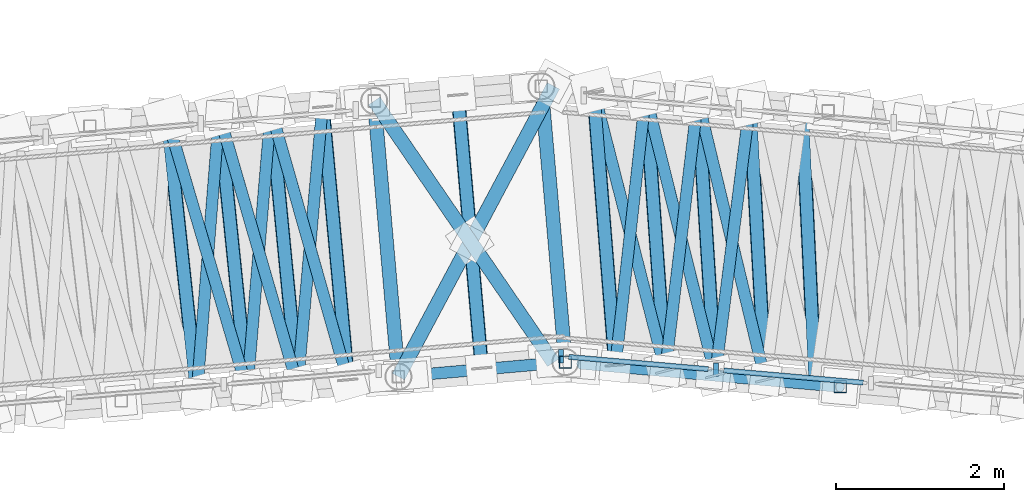
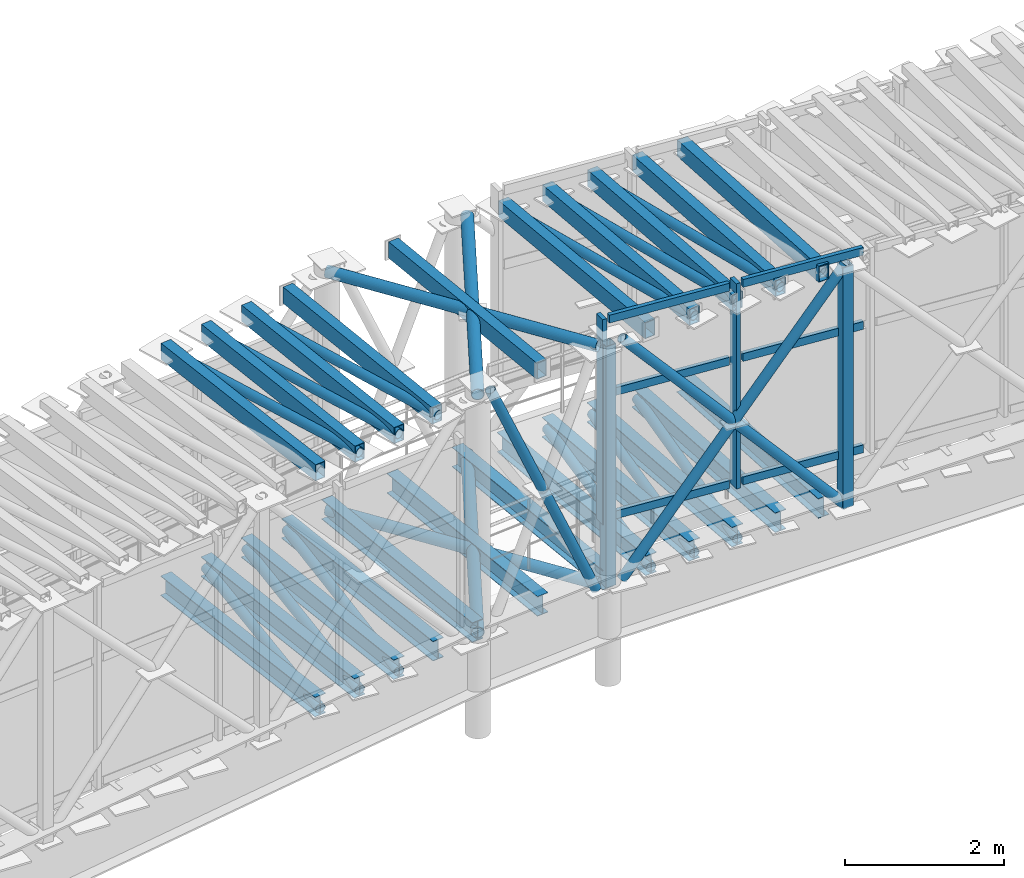
# One storey, part 54 of 144: 43 members, 12 beams, 1 element without a shape of its own.
"""IFC4 building model written with IfcOpenShell, lengths in metres."""

from ifc_helpers import new_model, si_unit, direction, frame, origin, origin_2d, place, context, subcontext, project, spatial, rectangle, hollow_rectangle, hollow_circle, i_section, extrude, material, material_profile, profile_set, type_object, element, aggregate, save


model = new_model("IFC4")

# Units and contexts
model_context = context("Model", 3, precision=1e-05, world=origin(), true_north=direction((0.0, 1.0)))
body_context = subcontext(model_context, "Body", "Model", "MODEL_VIEW")
ifc_project = project(units=[si_unit("LENGTHUNIT", "METRE"), si_unit("AREAUNIT", "SQUARE_METRE"), si_unit("VOLUMEUNIT", "CUBIC_METRE"), si_unit("PLANEANGLEUNIT", "RADIAN"), si_unit("MASSUNIT", "GRAM", prefix="KILO")], contexts=[model_context])

# Site, building, storey
site_placement = place(None, origin())
site = spatial("IfcSite", under=ifc_project, at=site_placement, CompositionType="ELEMENT")
building_placement = place(site_placement, origin())
building = spatial("IfcBuilding", under=site, at=building_placement, Name="Cinderbank Siding Concert Hall", CompositionType="ELEMENT")
storey_placement = place(building_placement, frame((0.0, 0.0, 5.39990234375)))
storey = spatial("IfcBuildingStorey", under=building, at=storey_placement, Name="L02", CompositionType="ELEMENT", Elevation=5.39990234375)

# Members
ifc_material_1 = material(Name="Structural steel hollow section AS/NZS 1163 Grade C350L0 (350 MPa)", Category="steel")
ifc_material_profile_1 = material_profile(ifc_material_1, hollow_circle(Radius=0.06982421875, WallThickness=0.00634765625, at=origin_2d()), Name="139.7x6.4CHS", Category="LoadBearing")
ifc_profile_set_1 = profile_set([ifc_material_profile_1], Name="Structural steel hollow section AS/NZS 1163 Grade C350L0 (350 MPa)")
member_type_1 = type_object("IfcMemberType", Name="BR-CHS139 139.7x6.4CHS Roof Truss", PredefinedType="BRACE", material=ifc_profile_set_1)
member_1_placement = place(storey_placement, frame((75.085693359375, 98.765380859375, 1.32568359375), z_axis=(0.079665929004, 0.996736875252, 0.012997740937), x_axis=(-0.996821080918, 0.079672659288, 0.0)))
element("IfcMember", 1, at=member_1_placement, inside=storey, type_object=member_type_1, Name="L02 Diagonal Brace BR-CHS139 #BRST-BR-CHS139-L02-0216", PredefinedType="BRACE", context=body_context, shape_type="SweptSolid", body=[
    extrude(hollow_circle(Radius=0.06982421875, WallThickness=0.00634765625, at=origin_2d()), origin(), (0.0, 0.0, 1.0), 3.343505859375),
])
member_2_placement = place(storey_placement, frame((74.735595703125, 102.043701171875, 4.965576171875), z_axis=(0.28269258061, -0.959122580939, 0.012991520393), x_axis=(0.95920353135, 0.28271644, 0.0)))
element("IfcMember", 2, at=member_2_placement, inside=storey, type_object=member_type_1, Name="L02 Diagonal Brace BR-CHS139 #BRXR-BR-CHS139-L02-0217", PredefinedType="BRACE", context=body_context, shape_type="SweptSolid", body=[
    extrude(hollow_circle(Radius=0.06982421875, WallThickness=0.00634765625, at=origin_2d()), origin(), (0.0, 0.0, 1.0), 3.36376953125),
])
member_3_placement = place(storey_placement, frame((75.6865234375, 98.8173828125, 1.369140625), z_axis=(0.084245622048, 0.996359478078, 0.013056247919), x_axis=(-0.99644441145, 0.084252803457, 0.0)))
element("IfcMember", 3, at=member_3_placement, inside=storey, type_object=member_type_1, Name="L02 Diagonal Brace BR-CHS139 #BRST-BR-CHS139-L02-0219", PredefinedType="BRACE", context=body_context, shape_type="SweptSolid", body=[
    extrude(hollow_circle(Radius=0.06982421875, WallThickness=0.00634765625, at=origin_2d()), origin(), (0.0, 0.0, 1.0), 3.34716796875),
])
member_4_placement = place(storey_placement, frame((75.35205078125, 102.097900390625, 5.00927734375), z_axis=(0.278255279965, -0.960420142778, 0.012928593013), x_axis=(0.960500419243, 0.27827853786, 0.0)))
element("IfcMember", 4, at=member_4_placement, inside=storey, type_object=member_type_1, Name="L02 Diagonal Brace BR-CHS139 #BRXR-BR-CHS139-L02-0220", PredefinedType="BRACE", context=body_context, shape_type="SweptSolid", body=[
    extrude(hollow_circle(Radius=0.06982421875, WallThickness=0.00634765625, at=origin_2d()), origin(), (0.0, 0.0, 1.0), 3.361328125),
])
member_5_placement = place(storey_placement, frame((76.287353515625, 98.86962890625, 1.412841796875), z_axis=(0.08874752713, 0.995968758905, 0.013042534775), x_axis=(-0.996053480698, 0.088755076413, 0.0)))
element("IfcMember", 5, at=member_5_placement, inside=storey, type_object=member_type_1, Name="L02 Diagonal Brace BR-CHS139 #BRST-BR-CHS139-L02-0222", PredefinedType="BRACE", context=body_context, shape_type="SweptSolid", body=[
    extrude(hollow_circle(Radius=0.06982421875, WallThickness=0.00634765625, at=origin_2d()), origin(), (0.0, 0.0, 1.0), 3.3505859375),
])
member_6_placement = place(storey_placement, frame((75.968505859375, 102.15234375, 5.052734375), z_axis=(0.273785825454, -0.961702692436, 0.013009732614), x_axis=(0.96178408837, 0.273808997951, 0.0)))
element("IfcMember", 6, at=member_6_placement, inside=storey, type_object=member_type_1, Name="L02 Diagonal Brace BR-CHS139 #BRXR-BR-CHS139-L02-0223", PredefinedType="BRACE", context=body_context, shape_type="SweptSolid", body=[
    extrude(hollow_circle(Radius=0.06982421875, WallThickness=0.00634765625, at=origin_2d()), origin(), (0.0, 0.0, 1.0), 3.359130859375),
])
member_7_placement = place(storey_placement, frame((77.67822265625, 98.990478515625, 5.170166015625), z_axis=(0.39946196496, 0.034952921934, -0.916083201351), x_axis=(-0.087166950281, 0.996193717496, 0.0)))
element("IfcMember", 7, at=member_7_placement, inside=storey, type_object=member_type_1, Name="L02 Diagonal Brace BR-CHS139 #BRDR-BR-CHS139-L02-0233", PredefinedType="BRACE", context=body_context, shape_type="SweptSolid", body=[
    extrude(hollow_circle(Radius=0.06982421875, WallThickness=0.00634765625, at=origin_2d()), origin(), (0.0, 0.0, 1.0), 2.004638671875),
])
member_8_placement = place(storey_placement, frame((78.490966796875, 99.0615234375, 3.306396484375), z_axis=(0.399506536307, 0.034956821927, -0.916063615721), x_axis=(-0.087166950281, 0.996193717496, 0.0)))
element("IfcMember", 8, at=member_8_placement, inside=storey, type_object=member_type_1, Name="L02 Diagonal Brace BR-CHS139 #BRDR-BR-CHS139-L02-0233-S22", PredefinedType="BRACE", context=body_context, shape_type="SweptSolid", body=[
    extrude(hollow_circle(Radius=0.06982421875, WallThickness=0.00634765625, at=origin_2d()), origin(), (0.0, 0.0, 1.0), 2.00439453125),
])
member_9_placement = place(storey_placement, frame((79.670166015625, 99.131103515625, 1.48388671875), z_axis=(0.617066436247, -0.055156231052, 0.7849756706), x_axis=(0.089029642765, 0.996028976842, 0.0)))
element("IfcMember", 9, at=member_9_placement, inside=storey, type_object=member_type_1, Name="L02 Diagonal Brace BR-CHS139 #BRDR-BR-CHS139-L02-0252", PredefinedType="BRACE", context=body_context, shape_type="SweptSolid", body=[
    extrude(hollow_circle(Radius=0.06982421875, WallThickness=0.00634765625, at=origin_2d()), origin(), (0.0, 0.0, 1.0), 5.001708984375),
])
for number, where, z_axis, x_axis, name in (
    (10, (79.670166015625, 99.131103515625, 5.18408203125), (0.662987920877, -0.059225513314, -0.746283696287), (0.088976894944, 0.996033690277, 0.0), "L02 Diagonal Brace BR-CHS139 #BRDR-BR-CHS139-L02-0253"),
    (11, (81.223388671875, 98.9921875, 3.435791015625), (0.663040157627, -0.059230179686, -0.746236916259), (0.088976894944, 0.996033690277, 0.0), "L02 Diagonal Brace BR-CHS139 #BRDR-BR-CHS139-L02-0253-S29"),
):
    element("IfcMember", number, at=place(storey_placement, frame(where, z_axis=z_axis, x_axis=x_axis)), inside=storey, type_object=member_type_1, Name=name, PredefinedType="BRACE", context=body_context, shape_type="SweptSolid", body=[
        extrude(hollow_circle(Radius=0.06982421875, WallThickness=0.00634765625, at=origin_2d()), origin(), (0.0, 0.0, 1.0), 2.3125),
    ])
member_10_placement = place(storey_placement, frame((80.076416015625, 99.0947265625, 1.543701171875), z_axis=(0.110849611161, 0.99374651413, 0.013424952908), x_axis=(-0.993836077386, 0.110859601689, 0.0)))
element("IfcMember", 12, at=member_10_placement, inside=storey, type_object=member_type_1, Name="L02 Diagonal Brace BR-CHS139 #BRST-BR-CHS139-L02-0265", PredefinedType="BRACE", context=body_context, shape_type="SweptSolid", body=[
    extrude(hollow_circle(Radius=0.06982421875, WallThickness=0.00634765625, at=origin_2d()), origin(), (0.0, 0.0, 1.0), 3.255126953125),
])
member_11_placement = place(storey_placement, frame((79.815673828125, 102.3828125, 5.18359375), z_axis=(0.24827368535, -0.968607086002, 0.012668469121), x_axis=(0.968684821288, 0.248293610483, 0.0)))
element("IfcMember", 13, at=member_11_placement, inside=storey, type_object=member_type_1, Name="L02 Diagonal Brace BR-CHS139 #BRXR-BR-CHS139-L02-0266", PredefinedType="BRACE", context=body_context, shape_type="SweptSolid", body=[
    extrude(hollow_circle(Radius=0.06982421875, WallThickness=0.00634765625, at=origin_2d()), origin(), (0.0, 0.0, 1.0), 3.44970703125),
])
member_12_placement = place(storey_placement, frame((80.672119140625, 99.04150390625, 1.58740234375), z_axis=(0.118700115743, 0.992839541335, 0.013413712574), x_axis=(-0.99292887305, 0.118710795902, 0.0)))
element("IfcMember", 14, at=member_12_placement, inside=storey, type_object=member_type_1, Name="L02 Diagonal Brace BR-CHS139 #BRST-BR-CHS139-L02-0268", PredefinedType="BRACE", context=body_context, shape_type="SweptSolid", body=[
    extrude(hollow_circle(Radius=0.06982421875, WallThickness=0.00634765625, at=origin_2d()), origin(), (0.0, 0.0, 1.0), 3.258056640625),
])
member_13_placement = place(storey_placement, frame((80.437255859375, 102.32958984375, 5.227294921875), z_axis=(0.241147799652, -0.970405406068, 0.012691989455), x_axis=(0.970483575164, 0.241167224838, 0.0)))
element("IfcMember", 15, at=member_13_placement, inside=storey, type_object=member_type_1, Name="L02 Diagonal Brace BR-CHS139 #BRXR-BR-CHS139-L02-0269", PredefinedType="BRACE", context=body_context, shape_type="SweptSolid", body=[
    extrude(hollow_circle(Radius=0.06982421875, WallThickness=0.00634765625, at=origin_2d()), origin(), (0.0, 0.0, 1.0), 3.443115234375),
])
member_14_placement = place(storey_placement, frame((81.267578125, 98.98828125, 1.631103515625), z_axis=(0.126593998925, 0.991865104528, 0.013325684097), x_axis=(-0.991953180914, 0.126605240314, 0.0)))
element("IfcMember", 16, at=member_14_placement, inside=storey, type_object=member_type_1, Name="L02 Diagonal Brace BR-CHS139 #BRST-BR-CHS139-L02-0271", PredefinedType="BRACE", context=body_context, shape_type="SweptSolid", body=[
    extrude(hollow_circle(Radius=0.06982421875, WallThickness=0.00634765625, at=origin_2d()), origin(), (0.0, 0.0, 1.0), 3.26123046875),
])
member_15_placement = place(storey_placement, frame((81.058837890625, 102.276123046875, 5.27099609375), z_axis=(0.234066001861, -0.972137552493, 0.012715573394), x_axis=(0.972216152446, 0.234084926731, 0.0)))
element("IfcMember", 17, at=member_15_placement, inside=storey, type_object=member_type_1, Name="L02 Diagonal Brace BR-CHS139 #BRXR-BR-CHS139-L02-0272", PredefinedType="BRACE", context=body_context, shape_type="SweptSolid", body=[
    extrude(hollow_circle(Radius=0.06982421875, WallThickness=0.00634765625, at=origin_2d()), origin(), (0.0, 0.0, 1.0), 3.436767578125),
])
ifc_material_profile_2 = material_profile(ifc_material_1, hollow_circle(Radius=0.084228515625, WallThickness=0.007080078125, at=origin_2d()), Name="168.3x7.1CHS", Category="LoadBearing")
ifc_profile_set_2 = profile_set([ifc_material_profile_2], Name="Structural steel hollow section AS/NZS 1163 Grade C350L0 (350 MPa)")
member_type_2 = type_object("IfcMemberType", Name="BR-CHS168 168.3x7.1CHS Roof Truss", PredefinedType="BRACE", material=ifc_profile_set_2)
member_16_placement = place(storey_placement, frame((77.489013671875, 98.973876953125, 1.52001953125), z_axis=(0.470394761597, 0.882456099906, 0.0), x_axis=(-0.882456099906, 0.470394761597, 0.0)))
element("IfcMember", 18, at=member_16_placement, inside=storey, type_object=member_type_2, Name="L02 Diagonal Brace BR-CHS168 #BRWB-BR-CHS168-L02-0235", PredefinedType="BRACE", context=body_context, shape_type="SweptSolid", body=[
    extrude(hollow_circle(Radius=0.084228515625, WallThickness=0.007080078125, at=origin_2d()), origin(), (0.0, 0.0, 1.0), 3.929931640625),
])
member_17_placement = place(storey_placement, frame((77.201416015625, 102.26123046875, 1.52001953125), z_axis=(0.565000897235, -0.82509028968, 0.0), x_axis=(0.82509028968, 0.565000897235, 0.0)))
element("IfcMember", 19, at=member_17_placement, inside=storey, type_object=member_type_2, Name="L02 Diagonal Brace BR-CHS168 #BRWB-BR-CHS168-L02-0236", PredefinedType="BRACE", context=body_context, shape_type="SweptSolid", body=[
    extrude(hollow_circle(Radius=0.084228515625, WallThickness=0.007080078125, at=origin_2d()), origin(), (0.0, 0.0, 1.0), 2.015380859375),
])
member_18_placement = place(storey_placement, frame((78.357177734375, 100.57373046875, 1.52001953125), z_axis=(0.564981435922, -0.825103615956, 0.0), x_axis=(0.825103615956, 0.564981435922, 0.0)))
element("IfcMember", 20, at=member_18_placement, inside=storey, type_object=member_type_2, Name="L02 Diagonal Brace BR-CHS168 #BRWB-BR-CHS168-L02-0236-S23", PredefinedType="BRACE", context=body_context, shape_type="SweptSolid", body=[
    extrude(hollow_circle(Radius=0.084228515625, WallThickness=0.007080078125, at=origin_2d()), origin(), (0.0, 0.0, 1.0), 1.7353515625),
])
member_19_placement = place(storey_placement, frame((77.201416015625, 102.26123046875, 5.170166015625), z_axis=(0.565028792747, -0.825071186848, 0.0), x_axis=(0.825071186848, 0.565028792747, 0.0)))
element("IfcMember", 21, at=member_19_placement, inside=storey, type_object=member_type_2, Name="L02 Diagonal Brace BR-CHS168 #BRWB-BR-CHS168-L02-0237", PredefinedType="BRACE", context=body_context, shape_type="SweptSolid", body=[
    extrude(hollow_circle(Radius=0.084228515625, WallThickness=0.007080078125, at=origin_2d()), origin(), (0.0, 0.0, 1.0), 3.78076171875),
])
member_20_placement = place(storey_placement, frame((77.489013671875, 98.973876953125, 5.170166015625), z_axis=(0.470448379807, 0.882427516534, 0.0), x_axis=(-0.882427516534, 0.470448379807, 0.0)))
element("IfcMember", 22, at=member_20_placement, inside=storey, type_object=member_type_2, Name="L02 Diagonal Brace BR-CHS168 #BRWB-BR-CHS168-L02-0238", PredefinedType="BRACE", context=body_context, shape_type="SweptSolid", body=[
    extrude(hollow_circle(Radius=0.084228515625, WallThickness=0.007080078125, at=origin_2d()), origin(), (0.0, 0.0, 1.0), 1.812255859375),
])
member_21_placement = place(storey_placement, frame((78.355712890625, 100.599365234375, 5.170166015625), z_axis=(0.470309026471, 0.882501795817, 0.0), x_axis=(-0.882501795817, 0.470309026471, 0.0)))
element("IfcMember", 23, at=member_21_placement, inside=storey, type_object=member_type_2, Name="L02 Diagonal Brace BR-CHS168 #BRWB-BR-CHS168-L02-0238-S24", PredefinedType="BRACE", context=body_context, shape_type="SweptSolid", body=[
    extrude(hollow_circle(Radius=0.084228515625, WallThickness=0.007080078125, at=origin_2d()), origin(), (0.0, 0.0, 1.0), 2.087890625),
])
ifc_material_profile_3 = material_profile(ifc_material_1, hollow_rectangle(XDim=0.14990234375, YDim=0.14990234375, WallThickness=0.008056640625, at=origin_2d()), Name="150x150x8.0SHS", Category="LoadBearing")
ifc_profile_set_3 = profile_set([ifc_material_profile_3], Name="Structural steel hollow section AS/NZS 1163 Grade C350L0 (350 MPa)")
member_type_3 = type_object("IfcMemberType", Name="BR-SHS150 150x150x8.0SHS Roof Truss", PredefinedType="BRACE", material=ifc_profile_set_3)
for number, where, z_axis, x_axis, name in (
    (24, (79.48095703125, 99.14794921875, 1.47021484375), (0.0, 0.0, 1.0), (1.0, 0.0, 0.0), "L02 Diagonal Brace BR-SHS150 #BRVR-BR-SHS150-L02-0251"),
    (25, (82.756591796875, 98.855224609375, 1.710205078125), (0.0, 0.0, 1.0), (1.0, 0.0, 0.0), "L02 Diagonal Brace BR-SHS150 #BRVR-BR-SHS150-L02-0254"),
):
    element("IfcMember", number, at=place(storey_placement, frame(where, z_axis=z_axis, x_axis=x_axis)), inside=storey, type_object=member_type_3, Name=name, PredefinedType="BRACE", context=body_context, shape_type="SweptSolid", body=[
        extrude(hollow_rectangle(XDim=0.14990234375, YDim=0.14990234375, WallThickness=0.008056640625, at=origin_2d()), origin(), (0.0, 0.0, 1.0), 3.699951171875),
    ])

# Curtain wall, members
ifc_material_2 = material(Name="Anodised aluminium alloy 6063-T6", Category="aluminium")
curtain_wall_type = type_object("IfcCurtainWallType", Name="CW-15 Unitised Acoustic Curtain Wall 12800x3200", PredefinedType="NOTDEFINED", material=ifc_material_2)
curtain_wall_placement = place(storey_placement, origin())
curtain_wall = element("IfcCurtainWall", 26, at=curtain_wall_placement, inside=storey, type_object=curtain_wall_type, Name="L02 Curtain Wall CW-15 #158", PredefinedType="NOTDEFINED")
ifc_material_profile_4 = material_profile(ifc_material_2, rectangle(XDim=0.06005859375, YDim=0.159912109375, at=origin_2d()), Name="ALU-MULL-60x160", Category="LoadBearing")
ifc_profile_set_4 = profile_set([ifc_material_profile_4], Name="Anodised aluminium alloy 6063-T6")
member_type_4 = type_object("IfcMemberType", Name="CW-ML1 Mullion 60x160", PredefinedType="MULLION", material=ifc_profile_set_4)
member_22_placement = place(storey_placement, frame((79.427734375, 99.218017578125, 2.400146484375), z_axis=(0.0, 0.0, 1.0), x_axis=(1.0, 0.0, 0.0)))
member_22 = element("IfcMember", 27, at=member_22_placement, type_object=member_type_4, Name="CW-L02-158 Mullion 0", PredefinedType="MULLION", context=body_context, shape_type="SweptSolid", body=[
    extrude(rectangle(XDim=0.06005859375, YDim=0.159912109375, at=origin_2d()), origin(), (0.0, 0.0, 1.0), 3.14990234375),
])
member_23_placement = place(storey_placement, frame((81.27587890625, 99.056396484375, 2.400146484375), z_axis=(0.0, 0.0, 1.0), x_axis=(1.0, 0.0, 0.0)))
member_23 = element("IfcMember", 28, at=member_23_placement, type_object=member_type_4, Name="CW-L02-158 Mullion 1", PredefinedType="MULLION", context=body_context, shape_type="SweptSolid", body=[
    extrude(rectangle(XDim=0.06005859375, YDim=0.159912109375, at=origin_2d()), origin(), (0.0, 0.0, 1.0), 3.14990234375),
])
ifc_material_profile_5 = material_profile(ifc_material_2, rectangle(XDim=0.06005859375, YDim=0.1201171875, at=origin_2d()), Name="ALU-TRAN-60x120", Category="LoadBearing")
ifc_profile_set_5 = profile_set([ifc_material_profile_5], Name="Anodised aluminium alloy 6063-T6")
member_type_5 = type_object("IfcMemberType", Name="CW-TR1 Transom 60x120", PredefinedType="USERDEFINED", material=ifc_profile_set_5)
member_24_placement = place(storey_placement, frame((79.520263671875, 99.2099609375, 2.460205078125), z_axis=(0.996182758594, -0.087292104342, 0.0), x_axis=(0.087292104342, 0.996182758594, 0.0)))
member_24 = element("IfcMember", 29, at=member_24_placement, type_object=member_type_5, Name="CW-L02-158 Transom 0-0", ObjectType="TRANSOM", PredefinedType="USERDEFINED", context=body_context, shape_type="SweptSolid", body=[
    extrude(rectangle(XDim=0.06005859375, YDim=0.1201171875, at=origin_2d()), origin(), (0.0, 0.0, 1.0), 1.669677734375),
])
member_25_placement = place(storey_placement, frame((79.520263671875, 99.2099609375, 4.35302734375), z_axis=(0.996182758594, -0.087292104342, 0.0), x_axis=(0.087292104342, 0.996182758594, 0.0)))
member_25 = element("IfcMember", 30, at=member_25_placement, type_object=member_type_5, Name="CW-L02-158 Transom 0-1", ObjectType="TRANSOM", PredefinedType="USERDEFINED", context=body_context, shape_type="SweptSolid", body=[
    extrude(rectangle(XDim=0.06005859375, YDim=0.1201171875, at=origin_2d()), origin(), (0.0, 0.0, 1.0), 1.669677734375),
])
member_26_placement = place(storey_placement, frame((79.520263671875, 99.2099609375, 5.489990234375), z_axis=(0.996182758594, -0.087292104342, 0.0), x_axis=(0.087292104342, 0.996182758594, 0.0)))
member_26 = element("IfcMember", 31, at=member_26_placement, type_object=member_type_5, Name="CW-L02-158 Transom 0-2", ObjectType="TRANSOM", PredefinedType="USERDEFINED", context=body_context, shape_type="SweptSolid", body=[
    extrude(rectangle(XDim=0.06005859375, YDim=0.1201171875, at=origin_2d()), origin(), (0.0, 0.0, 1.0), 1.669677734375),
])
member_27_placement = place(storey_placement, frame((81.368408203125, 99.048095703125, 2.460205078125), z_axis=(0.996194352413, -0.087159693781, 0.0), x_axis=(0.087159693781, 0.996194352413, 0.0)))
member_27 = element("IfcMember", 32, at=member_27_placement, type_object=member_type_5, Name="CW-L02-158 Transom 1-0", ObjectType="TRANSOM", PredefinedType="USERDEFINED", context=body_context, shape_type="SweptSolid", body=[
    extrude(rectangle(XDim=0.06005859375, YDim=0.1201171875, at=origin_2d()), origin(), (0.0, 0.0, 1.0), 1.66943359375),
])
member_28_placement = place(storey_placement, frame((81.368408203125, 99.048095703125, 4.35302734375), z_axis=(0.996194352413, -0.087159693781, 0.0), x_axis=(0.087159693781, 0.996194352413, 0.0)))
member_28 = element("IfcMember", 33, at=member_28_placement, type_object=member_type_5, Name="CW-L02-158 Transom 1-1", ObjectType="TRANSOM", PredefinedType="USERDEFINED", context=body_context, shape_type="SweptSolid", body=[
    extrude(rectangle(XDim=0.06005859375, YDim=0.1201171875, at=origin_2d()), origin(), (0.0, 0.0, 1.0), 1.66943359375),
])
member_29_placement = place(storey_placement, frame((81.368408203125, 99.048095703125, 5.489990234375), z_axis=(0.996194352413, -0.087159693781, 0.0), x_axis=(0.087159693781, 0.996194352413, 0.0)))
member_29 = element("IfcMember", 34, at=member_29_placement, type_object=member_type_5, Name="CW-L02-158 Transom 1-2", ObjectType="TRANSOM", PredefinedType="USERDEFINED", context=body_context, shape_type="SweptSolid", body=[
    extrude(rectangle(XDim=0.06005859375, YDim=0.1201171875, at=origin_2d()), origin(), (0.0, 0.0, 1.0), 1.66943359375),
])
aggregate(curtain_wall, [member_22, member_23, member_24, member_25, member_26, member_27, member_28, member_29])

# Beams
ifc_material_3 = material(Name="Structural steel AS/NZS 3679.1 Grade 350 (340 MPa)", Category="steel")
ifc_material_profile_6 = material_profile(ifc_material_3, i_section(OverallWidth=0.1650390625, OverallDepth=0.303955078125, WebThickness=0.006103515625, FlangeThickness=0.01025390625, at=origin_2d()), Name="310UB40.4", Category="LoadBearing")
ifc_profile_set_6 = profile_set([ifc_material_profile_6], Name="Structural steel AS/NZS 3679.1 Grade 350 (340 MPa)")
beam_type = type_object("IfcBeamType", Name="JS-UB310 310UB40.4", PredefinedType="JOIST", material=ifc_profile_set_6)
beam_1_placement = place(storey_placement, frame((75.085693359375, 98.765380859375, 1.37353515625), z_axis=(-0.106187985394, 0.994346072431, 0.0), x_axis=(-0.994346072431, -0.106187985394, 0.0)))
element("IfcBeam", 35, at=beam_1_placement, inside=storey, type_object=beam_type, Name="L02 Beam JS-UB310 #1948", PredefinedType="JOIST", context=body_context, shape_type="SweptSolid", body=[
    extrude(i_section(OverallWidth=0.1650390625, OverallDepth=0.303955078125, WebThickness=0.006103515625, FlangeThickness=0.01025390625, at=origin_2d()), origin(), (0.0, 0.0, 1.0), 3.296875),
])
beam_2_placement = place(storey_placement, frame((75.6865234375, 98.8173828125, 1.417236328125), z_axis=(-0.101431440679, 0.994842531681, 0.0), x_axis=(-0.994842531681, -0.101431440679, 0.0)))
element("IfcBeam", 36, at=beam_2_placement, inside=storey, type_object=beam_type, Name="L02 Beam JS-UB310 #1949", PredefinedType="JOIST", context=body_context, shape_type="SweptSolid", body=[
    extrude(i_section(OverallWidth=0.1650390625, OverallDepth=0.303955078125, WebThickness=0.006103515625, FlangeThickness=0.01025390625, at=origin_2d()), origin(), (0.0, 0.0, 1.0), 3.297607421875),
])
beam_3_placement = place(storey_placement, frame((76.287353515625, 98.86962890625, 1.460693359375), z_axis=(-0.096674311049, 0.995316069188, 0.0), x_axis=(-0.995316069188, -0.096674311049, 0.0)))
element("IfcBeam", 37, at=beam_3_placement, inside=storey, type_object=beam_type, Name="L02 Beam JS-UB310 #1950", PredefinedType="JOIST", context=body_context, shape_type="SweptSolid", body=[
    extrude(i_section(OverallWidth=0.1650390625, OverallDepth=0.303955078125, WebThickness=0.006103515625, FlangeThickness=0.01025390625, at=origin_2d()), origin(), (0.0, 0.0, 1.0), 3.298095703125),
])
beam_4_placement = place(storey_placement, frame((76.88818359375, 98.921875, 1.50439453125), z_axis=(-0.091990305387, 0.995759902645, 0.0), x_axis=(-0.995759902645, -0.091990305387, 0.0)))
element("IfcBeam", 38, at=beam_4_placement, inside=storey, type_object=beam_type, Name="L02 Beam JS-UB310 #1951", PredefinedType="JOIST", context=body_context, shape_type="SweptSolid", body=[
    extrude(i_section(OverallWidth=0.1650390625, OverallDepth=0.303955078125, WebThickness=0.006103515625, FlangeThickness=0.01025390625, at=origin_2d()), origin(), (0.0, 0.0, 1.0), 3.298828125),
])
beam_5_placement = place(storey_placement, frame((77.489013671875, 98.97412109375, 1.548095703125), z_axis=(-0.087312894982, 0.996180936562, 0.0), x_axis=(-0.996180936562, -0.087312894982, 0.0)))
element("IfcBeam", 39, at=beam_5_placement, inside=storey, type_object=beam_type, Name="L02 Beam JS-UB310 #1952", PredefinedType="JOIST", context=body_context, shape_type="SweptSolid", body=[
    extrude(i_section(OverallWidth=0.1650390625, OverallDepth=0.303955078125, WebThickness=0.006103515625, FlangeThickness=0.01025390625, at=origin_2d()), origin(), (0.0, 0.0, 1.0), 3.299560546875),
])
beam_6_placement = place(storey_placement, frame((78.485107421875, 99.06103515625, 1.548095703125), z_axis=(-0.087153183668, 0.996194921979, 0.0), x_axis=(-0.996194921979, -0.087153183668, 0.0)))
element("IfcBeam", 40, at=beam_6_placement, inside=storey, type_object=beam_type, Name="L02 Beam JS-UB310 #1955", PredefinedType="JOIST", context=body_context, shape_type="SweptSolid", body=[
    extrude(i_section(OverallWidth=0.1650390625, OverallDepth=0.303955078125, WebThickness=0.006103515625, FlangeThickness=0.01025390625, at=origin_2d()), origin(), (0.0, 0.0, 1.0), 3.2998046875),
])
beam_7_placement = place(storey_placement, frame((79.48095703125, 99.14794921875, 1.548095703125), z_axis=(-0.086913693047, 0.996215845066, 0.0), x_axis=(-0.996215845066, -0.086913693047, 0.0)))
element("IfcBeam", 41, at=beam_7_placement, inside=storey, type_object=beam_type, Name="L02 Beam JS-UB310 #1956", PredefinedType="JOIST", context=body_context, shape_type="SweptSolid", body=[
    extrude(i_section(OverallWidth=0.1650390625, OverallDepth=0.303955078125, WebThickness=0.006103515625, FlangeThickness=0.01025390625, at=origin_2d()), origin(), (0.0, 0.0, 1.0), 3.300537109375),
])
beam_8_placement = place(storey_placement, frame((80.076416015625, 99.0947265625, 1.591796875), z_axis=(-0.079050919131, 0.996870579456, 0.0), x_axis=(-0.996870579456, -0.079050919131, 0.0)))
element("IfcBeam", 42, at=beam_8_placement, inside=storey, type_object=beam_type, Name="L02 Beam JS-UB310 #1959", PredefinedType="JOIST", context=body_context, shape_type="SweptSolid", body=[
    extrude(i_section(OverallWidth=0.1650390625, OverallDepth=0.303955078125, WebThickness=0.006103515625, FlangeThickness=0.01025390625, at=origin_2d()), origin(), (0.0, 0.0, 1.0), 3.29833984375),
])
beam_9_placement = place(storey_placement, frame((80.672119140625, 99.04150390625, 1.635498046875), z_axis=(-0.071247049988, 0.997458699831, 0.0), x_axis=(-0.997458699831, -0.071247049988, 0.0)))
element("IfcBeam", 43, at=beam_9_placement, inside=storey, type_object=beam_type, Name="L02 Beam JS-UB310 #1960", PredefinedType="JOIST", context=body_context, shape_type="SweptSolid", body=[
    extrude(i_section(OverallWidth=0.1650390625, OverallDepth=0.303955078125, WebThickness=0.006103515625, FlangeThickness=0.01025390625, at=origin_2d()), origin(), (0.0, 0.0, 1.0), 3.29638671875),
])
beam_10_placement = place(storey_placement, frame((81.267578125, 98.98828125, 1.678955078125), z_axis=(-0.063360958476, 0.997990675779, 0.0), x_axis=(-0.997990675779, -0.063360958476, 0.0)))
element("IfcBeam", 44, at=beam_10_placement, inside=storey, type_object=beam_type, Name="L02 Beam JS-UB310 #1961", PredefinedType="JOIST", context=body_context, shape_type="SweptSolid", body=[
    extrude(i_section(OverallWidth=0.1650390625, OverallDepth=0.303955078125, WebThickness=0.006103515625, FlangeThickness=0.01025390625, at=origin_2d()), origin(), (0.0, 0.0, 1.0), 3.29443359375),
])
beam_11_placement = place(storey_placement, frame((81.86328125, 98.93505859375, 1.72265625), z_axis=(-0.055531613584, 0.998456929413, 0.0), x_axis=(-0.998456929413, -0.055531613584, 0.0)))
element("IfcBeam", 45, at=beam_11_placement, inside=storey, type_object=beam_type, Name="L02 Beam JS-UB310 #1962", PredefinedType="JOIST", context=body_context, shape_type="SweptSolid", body=[
    extrude(i_section(OverallWidth=0.1650390625, OverallDepth=0.303955078125, WebThickness=0.006103515625, FlangeThickness=0.01025390625, at=origin_2d()), origin(), (0.0, 0.0, 1.0), 3.29296875),
])
beam_12_placement = place(storey_placement, frame((82.458740234375, 98.8818359375, 1.766357421875), z_axis=(-0.04754400546, 0.998869144355, 0.0), x_axis=(-0.998869144355, -0.04754400546, 0.0)))
element("IfcBeam", 46, at=beam_12_placement, inside=storey, type_object=beam_type, Name="L02 Beam JS-UB310 #1963", PredefinedType="JOIST", context=body_context, shape_type="SweptSolid", body=[
    extrude(i_section(OverallWidth=0.1650390625, OverallDepth=0.303955078125, WebThickness=0.006103515625, FlangeThickness=0.01025390625, at=origin_2d()), origin(), (0.0, 0.0, 1.0), 3.29150390625),
])

# Members
ifc_material_profile_7 = material_profile(ifc_material_1, hollow_rectangle(XDim=0.14990234375, YDim=0.25, WallThickness=0.009033203125, at=origin_2d()), Name="250x150x9.0RHS", Category="LoadBearing")
ifc_profile_set_7 = profile_set([ifc_material_profile_7], Name="Structural steel hollow section AS/NZS 1163 Grade C350L0 (350 MPa)")
member_type_6 = type_object("IfcMemberType", Name="PR-RHS250 250x150x9.0RHS Roof Truss", PredefinedType="PURLIN", material=ifc_profile_set_7)
member_30_placement = place(storey_placement, frame((75.085693359375, 98.765380859375, 4.965576171875), z_axis=(-0.106187985394, 0.994346072431, 0.0), x_axis=(-0.994346072431, -0.106187985394, 0.0)))
element("IfcMember", 47, at=member_30_placement, inside=storey, type_object=member_type_6, Name="L02 Roof Truss Member PR-RHS250 #212", PredefinedType="PURLIN", context=body_context, shape_type="SweptSolid", body=[
    extrude(hollow_rectangle(XDim=0.14990234375, YDim=0.25, WallThickness=0.009033203125, at=origin_2d()), origin(), (0.0, 0.0, 1.0), 3.296875),
])
member_31_placement = place(storey_placement, frame((75.6865234375, 98.8173828125, 5.00927734375), z_axis=(-0.101431440679, 0.994842531681, 0.0), x_axis=(-0.994842531681, -0.101431440679, 0.0)))
element("IfcMember", 48, at=member_31_placement, inside=storey, type_object=member_type_6, Name="L02 Roof Truss Member PR-RHS250 #215", PredefinedType="PURLIN", context=body_context, shape_type="SweptSolid", body=[
    extrude(hollow_rectangle(XDim=0.14990234375, YDim=0.25, WallThickness=0.009033203125, at=origin_2d()), origin(), (0.0, 0.0, 1.0), 3.297607421875),
])
member_32_placement = place(storey_placement, frame((76.287353515625, 98.86962890625, 5.052734375), z_axis=(-0.096674311049, 0.995316069188, 0.0), x_axis=(-0.995316069188, -0.096674311049, 0.0)))
element("IfcMember", 49, at=member_32_placement, inside=storey, type_object=member_type_6, Name="L02 Roof Truss Member PR-RHS250 #218", PredefinedType="PURLIN", context=body_context, shape_type="SweptSolid", body=[
    extrude(hollow_rectangle(XDim=0.14990234375, YDim=0.25, WallThickness=0.009033203125, at=origin_2d()), origin(), (0.0, 0.0, 1.0), 3.298095703125),
])
member_33_placement = place(storey_placement, frame((76.885986328125, 98.94677734375, 5.096435546875), z_axis=(-0.092053335244, 0.995754077808, 0.0), x_axis=(-0.995754077808, -0.092053335244, 0.0)))
element("IfcMember", 50, at=member_33_placement, inside=storey, type_object=member_type_6, Name="L02 Roof Truss Member PR-RHS250 #221", PredefinedType="PURLIN", context=body_context, shape_type="SweptSolid", body=[
    extrude(hollow_rectangle(XDim=0.14990234375, YDim=0.25, WallThickness=0.009033203125, at=origin_2d()), origin(), (0.0, 0.0, 1.0), 3.2490234375),
])
member_34_placement = place(storey_placement, frame((78.48291015625, 99.0859375, 5.14013671875), z_axis=(-0.08714178914, 0.996195918776, 0.0), x_axis=(-0.996195918776, -0.08714178914, 0.0)))
element("IfcMember", 51, at=member_34_placement, inside=storey, type_object=member_type_6, Name="L02 Roof Truss Member PR-RHS250 #234", PredefinedType="PURLIN", context=body_context, shape_type="SweptSolid", body=[
    extrude(hollow_rectangle(XDim=0.14990234375, YDim=0.25, WallThickness=0.009033203125, at=origin_2d()), origin(), (0.0, 0.0, 1.0), 3.25),
])
member_35_placement = place(storey_placement, frame((80.07470703125, 99.11962890625, 5.18359375), z_axis=(-0.079138825071, 0.996863604695, 0.0), x_axis=(-0.996863604695, -0.079138825071, 0.0)))
element("IfcMember", 52, at=member_35_placement, inside=storey, type_object=member_type_6, Name="L02 Roof Truss Member PR-RHS250 #263", PredefinedType="PURLIN", context=body_context, shape_type="SweptSolid", body=[
    extrude(hollow_rectangle(XDim=0.14990234375, YDim=0.25, WallThickness=0.009033203125, at=origin_2d()), origin(), (0.0, 0.0, 1.0), 3.24853515625),
])
member_36_placement = place(storey_placement, frame((80.672119140625, 99.04150390625, 5.227294921875), z_axis=(-0.071247049988, 0.997458699831, 0.0), x_axis=(-0.997458699831, -0.071247049988, 0.0)))
element("IfcMember", 53, at=member_36_placement, inside=storey, type_object=member_type_6, Name="L02 Roof Truss Member PR-RHS250 #264", PredefinedType="PURLIN", context=body_context, shape_type="SweptSolid", body=[
    extrude(hollow_rectangle(XDim=0.14990234375, YDim=0.25, WallThickness=0.009033203125, at=origin_2d()), origin(), (0.0, 0.0, 1.0), 3.29638671875),
])
member_37_placement = place(storey_placement, frame((81.267578125, 98.98828125, 5.27099609375), z_axis=(-0.063360958476, 0.997990675779, 0.0), x_axis=(-0.997990675779, -0.063360958476, 0.0)))
element("IfcMember", 54, at=member_37_placement, inside=storey, type_object=member_type_6, Name="L02 Roof Truss Member PR-RHS250 #267", PredefinedType="PURLIN", context=body_context, shape_type="SweptSolid", body=[
    extrude(hollow_rectangle(XDim=0.14990234375, YDim=0.25, WallThickness=0.009033203125, at=origin_2d()), origin(), (0.0, 0.0, 1.0), 3.29443359375),
])
member_38_placement = place(storey_placement, frame((81.86328125, 98.93505859375, 5.314697265625), z_axis=(-0.055531613584, 0.998456929413, 0.0), x_axis=(-0.998456929413, -0.055531613584, 0.0)))
element("IfcMember", 55, at=member_38_placement, inside=storey, type_object=member_type_6, Name="L02 Roof Truss Member PR-RHS250 #270", PredefinedType="PURLIN", context=body_context, shape_type="SweptSolid", body=[
    extrude(hollow_rectangle(XDim=0.14990234375, YDim=0.25, WallThickness=0.009033203125, at=origin_2d()), origin(), (0.0, 0.0, 1.0), 3.29296875),
])
member_39_placement = place(storey_placement, frame((82.458740234375, 98.8818359375, 5.3583984375), z_axis=(-0.04754400546, 0.998869144355, 0.0), x_axis=(-0.998869144355, -0.04754400546, 0.0)))
element("IfcMember", 56, at=member_39_placement, inside=storey, type_object=member_type_6, Name="L02 Roof Truss Member PR-RHS250 #273", PredefinedType="PURLIN", context=body_context, shape_type="SweptSolid", body=[
    extrude(hollow_rectangle(XDim=0.14990234375, YDim=0.25, WallThickness=0.009033203125, at=origin_2d()), origin(), (0.0, 0.0, 1.0), 3.29150390625),
])

save(model, "model.ifc")
